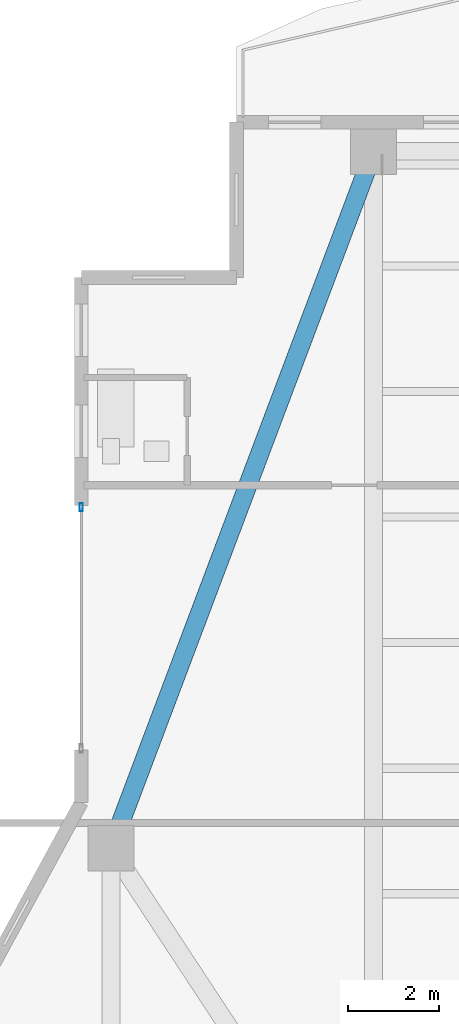
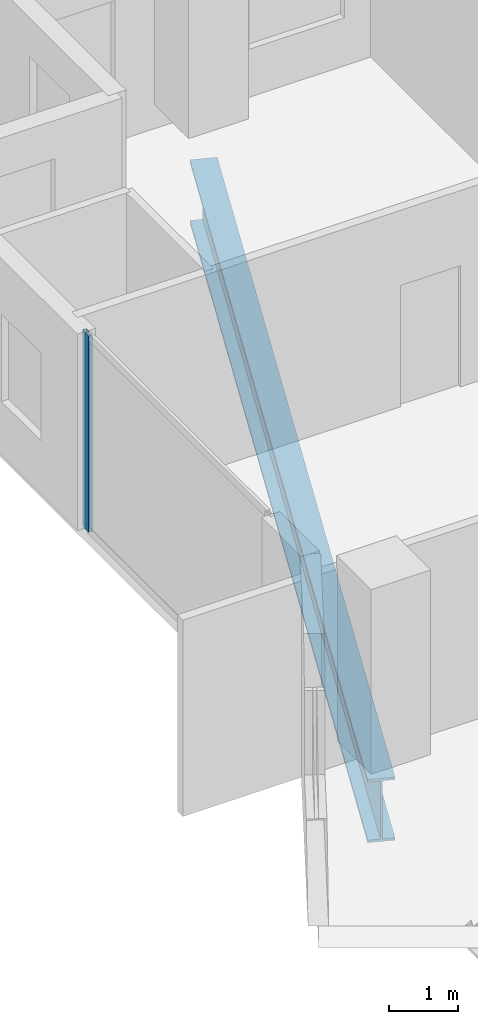
# One storey, part 13 of 28: 1 beam, 1 member, 1 element without a shape of its own.
"""IFC4 building model written with IfcOpenShell, lengths in metres."""

from ifc_helpers import new_model, si_unit, direction, frame, origin, origin_2d, place, context, subcontext, project, spatial, hollow_rectangle, i_section, extrude, material, layer, layer_set, material_profile, profile_set, type_object, element, aggregate, save


model = new_model("IFC4")

# Units and contexts
model_context = context("Model", 3, precision=1e-05, world=origin(), true_north=direction((0.0, 1.0)))
body_context = subcontext(model_context, "Body", "Model", "MODEL_VIEW")
ifc_project = project(units=[si_unit("LENGTHUNIT", "METRE"), si_unit("AREAUNIT", "SQUARE_METRE"), si_unit("VOLUMEUNIT", "CUBIC_METRE"), si_unit("PLANEANGLEUNIT", "RADIAN"), si_unit("MASSUNIT", "GRAM", prefix="KILO")], contexts=[model_context])

# Site, building, storey
site_placement = place(None, origin())
site = spatial("IfcSite", under=ifc_project, at=site_placement, CompositionType="ELEMENT")
building_placement = place(site_placement, origin())
building = spatial("IfcBuilding", under=site, at=building_placement, Name="Zuhayl Quay Hotel", CompositionType="ELEMENT")
storey_placement = place(building_placement, frame((0.0, 0.0, 239.64990234375)))
storey = spatial("IfcBuildingStorey", under=building, at=storey_placement, Name="L60", CompositionType="ELEMENT", Elevation=239.64990234375)

# Beam
ifc_material_1 = material(Name="Steel ASTM A913 Grade 65", Category="steel")
ifc_material_profile_1 = material_profile(ifc_material_1, i_section(OverallWidth=0.404052734375, OverallDepth=1.117919921875, WebThickness=0.026123046875, FlangeThickness=0.044921875, at=origin_2d()), Name="W44X335")
ifc_profile_set_1 = profile_set([ifc_material_profile_1], Name="Steel ASTM A913 Grade 65")
beam_type = type_object("IfcBeamType", Name="BM_TG1_W44X335", PredefinedType="BEAM", material=ifc_profile_set_1)
beam_placement = place(storey_placement, frame((-13.87060546875, 38.162841796875, -0.81884765625), z_axis=(-0.352804115283, -0.935697203287, 0.0), x_axis=(0.935697203287, -0.352804115283, 0.0)))
element("IfcBeam", 1, at=beam_placement, inside=storey, type_object=beam_type, Name="L60 Floor Beam RG_L60_10", PredefinedType="BEAM", context=body_context, shape_type="SweptSolid", body=[
    extrude(i_section(OverallWidth=0.404052734375, OverallDepth=1.117919921875, WebThickness=0.026123046875, FlangeThickness=0.044921875, at=origin_2d()), origin(), (0.0, 0.0, 1.0), 15.89794921875),
])

# Curtain wall, member
ifc_material_2 = material(Name="Anodised Aluminium 6063-T6", Category="aluminium")
ifc_layer = layer(ifc_material_2, 0.169921875, Name="Anodised Aluminium 6063-T6", Category="aluminium")
ifc_layer_set = layer_set([ifc_layer], Name="Anodised Aluminium 6063-T6")
curtain_wall_type = type_object("IfcCurtainWallType", Name="CW_SYS_Z4", PredefinedType="USERDEFINED", material=ifc_layer_set)
curtain_wall_placement = place(storey_placement, origin())
curtain_wall = element("IfcCurtainWall", 2, at=curtain_wall_placement, inside=storey, type_object=curtain_wall_type, Name="L60 Curtain Wall ENV_L60_E05_CW1", ObjectType="UNITISED CURTAIN WALL", PredefinedType="USERDEFINED")
ifc_material_3 = material(Name="Black-anodised aluminium 6063-T6", Category="aluminium")
ifc_material_profile_2 = material_profile(ifc_material_3, hollow_rectangle(XDim=0.06494140625, YDim=0.179931640625, WallThickness=0.00341796875, at=origin_2d()), Name="ALU180X65")
ifc_profile_set_2 = profile_set([ifc_material_profile_2], Name="Black-anodised aluminium 6063-T6")
member_type = type_object("IfcMemberType", Name="MB_CW_MUL_180", PredefinedType="MULLION", material=ifc_profile_set_2)
member_placement = place(storey_placement, frame((-20.199951171875, 30.5673828125, 0.0), z_axis=(0.0, 0.0, 1.0), x_axis=(-1.0, 0.0, 0.0)))
member = element("IfcMember", 3, at=member_placement, type_object=member_type, Name="CW-Z4 mullion 2", PredefinedType="MULLION", context=body_context, shape_type="SweptSolid", body=[
    extrude(hollow_rectangle(XDim=0.06494140625, YDim=0.179931640625, WallThickness=0.00341796875, at=origin_2d()), origin(), (0.0, 0.0, 1.0), 3.47998046875),
])
aggregate(curtain_wall, [member])

save(model, "model.ifc")
